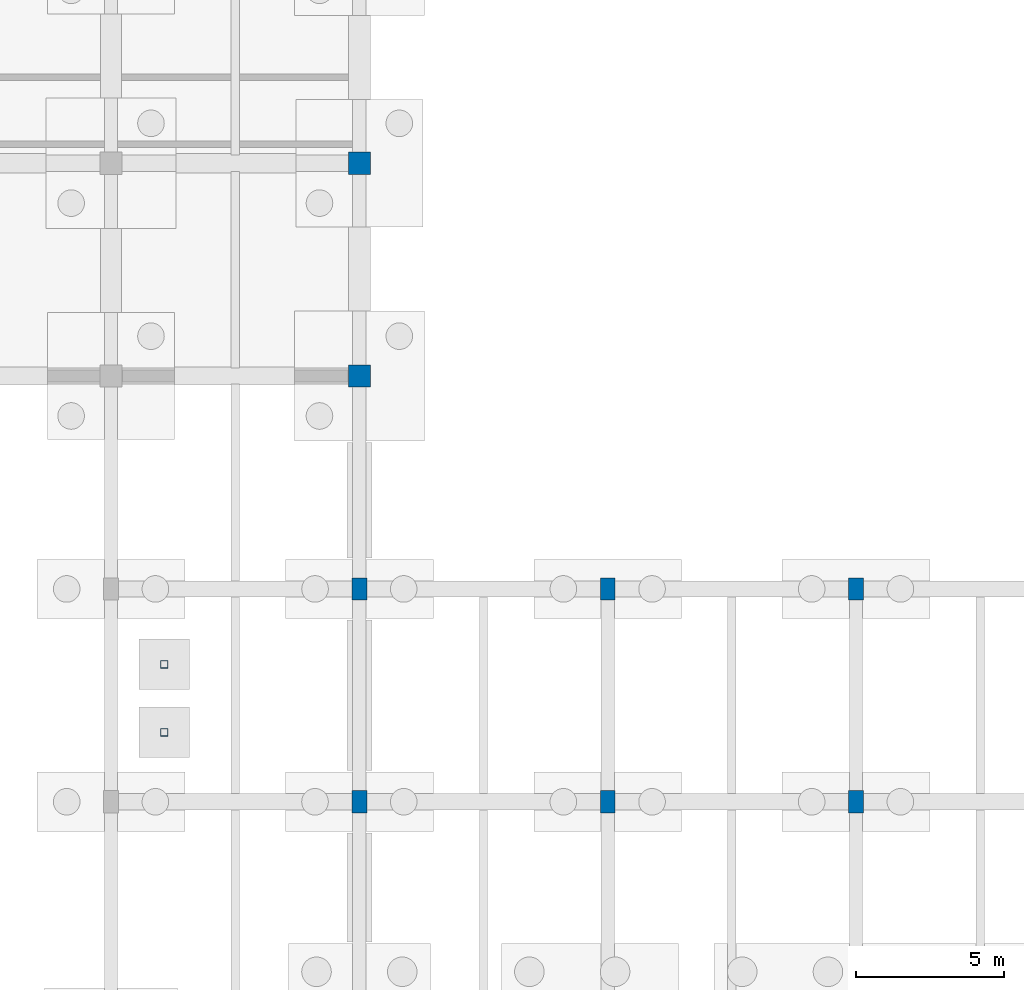
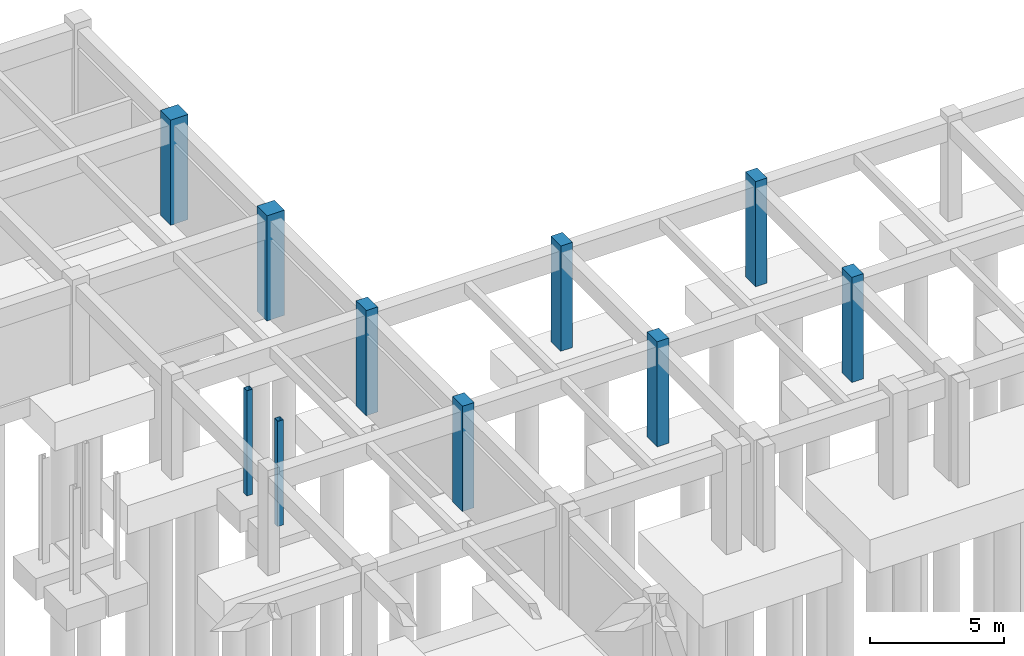
# One storey, part 47 of 80: 10 columns.
"""IFC4 building model written with IfcOpenShell, lengths in metres."""

from ifc_helpers import new_model, si_unit, direction, frame, origin, origin_2d, place, context, subcontext, project, spatial, rectangle, hollow_rectangle, extrude, material, material_profile, profile_set, type_object, element, save


model = new_model("IFC4")

# Units and contexts
model_context = context("Model", 3, precision=1e-05, world=origin(), true_north=direction((0.0, 1.0)))
body_context = subcontext(model_context, "Body", "Model", "MODEL_VIEW")
ifc_project = project(units=[si_unit("LENGTHUNIT", "METRE"), si_unit("AREAUNIT", "SQUARE_METRE"), si_unit("VOLUMEUNIT", "CUBIC_METRE"), si_unit("PLANEANGLEUNIT", "RADIAN"), si_unit("MASSUNIT", "GRAM", prefix="KILO")], contexts=[model_context])

# Site, building, storey
site_placement = place(None, origin())
site = spatial("IfcSite", under=ifc_project, at=site_placement, CompositionType="ELEMENT")
building_placement = place(site_placement, origin())
building = spatial("IfcBuilding", under=site, at=building_placement, Name="Malvenik Polytechnic", CompositionType="ELEMENT")
storey_placement = place(building_placement, frame((0.0, 0.0, -4.800048828125)))
storey = spatial("IfcBuildingStorey", under=building, at=storey_placement, Name="B1", CompositionType="ELEMENT", Elevation=-4.800048828125)

# Columns
ifc_material_1 = material(Name="Concrete C40/50", Category="concrete")
ifc_material_profile_1 = material_profile(ifc_material_1, rectangle(XDim=0.75, YDim=0.75, at=origin_2d()), Name="RC COL 750x750")
ifc_profile_set_1 = profile_set([ifc_material_profile_1], Name="Concrete C40/50")
column_type_1 = type_object("IfcColumnType", Name="STR-COL-C-03", PredefinedType="COLUMN", material=ifc_profile_set_1)
for number, where, z_axis, x_axis, name in (
    (1, (134.39990234375, 115.199951171875, 0.0), (0.0, 0.0, 1.0), (1.0, 0.0, 0.0), "Column C-03 B1 (134.4,115.2)"),
    (2, (134.39990234375, 122.39990234375, 0.0), (0.0, 0.0, 1.0), (1.0, 0.0, 0.0), "Column C-03 B1 (134.4,122.4)"),
):
    element("IfcColumn", number, at=place(storey_placement, frame(where, z_axis=z_axis, x_axis=x_axis)), inside=storey, type_object=column_type_1, Name=name, PredefinedType="COLUMN", context=body_context, shape_type="SweptSolid", body=[
        extrude(rectangle(XDim=0.75, YDim=0.75, at=origin_2d()), origin(), (0.0, 0.0, 1.0), 4.800048828125),
    ])
ifc_material_2 = material(Name="Concrete C35/45", Category="concrete")
ifc_material_profile_2 = material_profile(ifc_material_2, rectangle(XDim=0.5, YDim=0.75, at=origin_2d()), Name="RC COL 750x500")
ifc_profile_set_2 = profile_set([ifc_material_profile_2], Name="Concrete C35/45")
column_type_2 = type_object("IfcColumnType", Name="STR-COL-C-14", PredefinedType="COLUMN", material=ifc_profile_set_2)
for number, where, z_axis, x_axis, name in (
    (3, (134.39990234375, 100.800048828125, 0.0), (0.0, 0.0, 1.0), (1.0, 0.0, 0.0), "Column C-14 B1 (134.4,100.8)"),
    (4, (134.39990234375, 108.0, 0.0), (0.0, 0.0, 1.0), (1.0, 0.0, 0.0), "Column C-14 B1 (134.4,108.0)"),
    (5, (142.800048828125, 100.800048828125, 0.0), (0.0, 0.0, 1.0), (1.0, 0.0, 0.0), "Column C-14 B1 (142.8,100.8)"),
    (6, (142.800048828125, 108.0, 0.0), (0.0, 0.0, 1.0), (1.0, 0.0, 0.0), "Column C-14 B1 (142.8,108.0)"),
    (7, (151.199951171875, 100.800048828125, 0.0), (0.0, 0.0, 1.0), (1.0, 0.0, 0.0), "Column C-14 B1 (151.2,100.8)"),
    (8, (151.199951171875, 108.0, 0.0), (0.0, 0.0, 1.0), (1.0, 0.0, 0.0), "Column C-14 B1 (151.2,108.0)"),
):
    element("IfcColumn", number, at=place(storey_placement, frame(where, z_axis=z_axis, x_axis=x_axis)), inside=storey, type_object=column_type_2, Name=name, PredefinedType="COLUMN", context=body_context, shape_type="SweptSolid", body=[
        extrude(rectangle(XDim=0.5, YDim=0.75, at=origin_2d()), origin(), (0.0, 0.0, 1.0), 4.800048828125),
    ])
ifc_material_3 = material(Name="Steel S355J2H", Category="steel")
ifc_material_profile_3 = material_profile(ifc_material_3, hollow_rectangle(XDim=0.25, YDim=0.25, WallThickness=0.010009765625, at=origin_2d()), Name="SHS 250x250x10.0")
ifc_profile_set_3 = profile_set([ifc_material_profile_3], Name="Steel S355J2H")
column_type_3 = type_object("IfcColumnType", Name="STR-SCOL-SC-01", PredefinedType="COLUMN", material=ifc_profile_set_3)
for number, where, z_axis, x_axis, name in (
    (9, (127.800048828125, 103.14990234375, 0.0), (0.0, 0.0, 1.0), (1.0, 0.0, 0.0), "Bridge-Ramp Support Column SC-01 B1"),
    (10, (127.800048828125, 105.449951171875, 0.0), (0.0, 0.0, 1.0), (1.0, 0.0, 0.0), "Bridge-Ramp Support Column SC-01 B1"),
):
    element("IfcColumn", number, at=place(storey_placement, frame(where, z_axis=z_axis, x_axis=x_axis)), inside=storey, type_object=column_type_3, Name=name, PredefinedType="COLUMN", context=body_context, shape_type="SweptSolid", body=[
        extrude(hollow_rectangle(XDim=0.25, YDim=0.25, WallThickness=0.010009765625, at=origin_2d()), origin(), (0.0, 0.0, 1.0), 4.800048828125),
    ])

save(model, "model.ifc")
